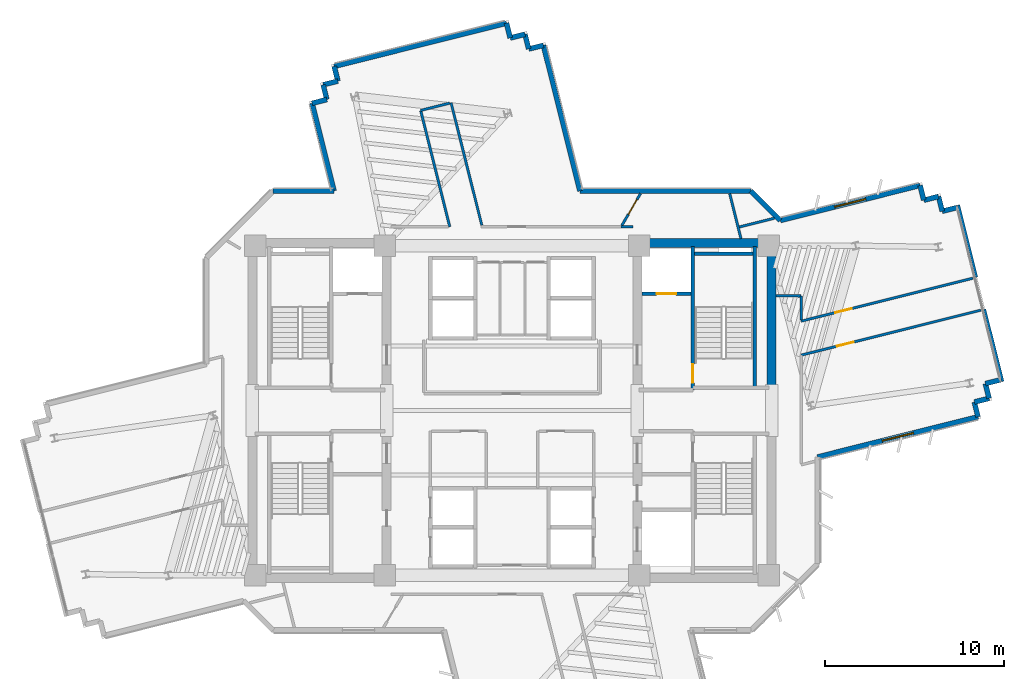
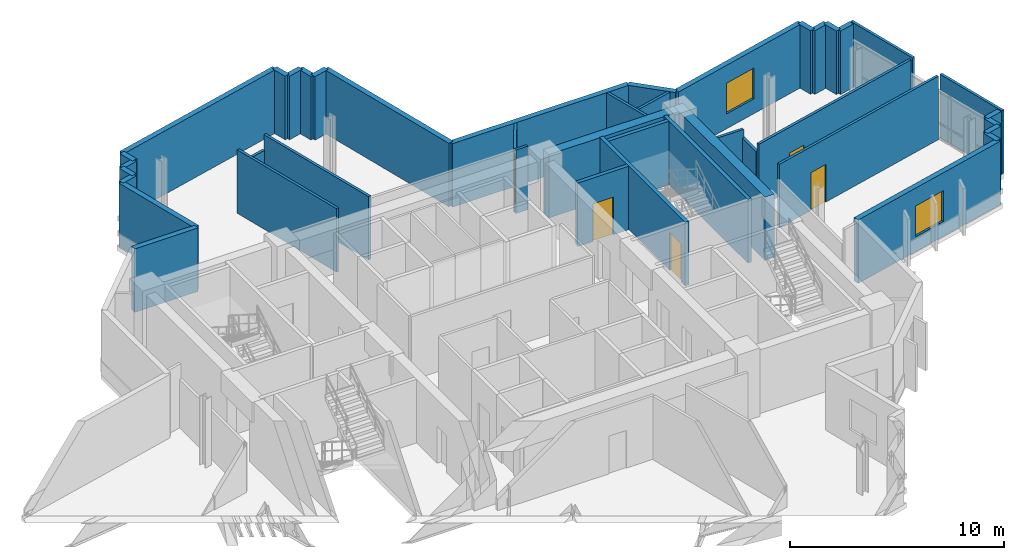
# One storey, part 9 of 13: 43 walls, 5 doors, 2 windows, 7 openings.
"""IFC4 building model written with IfcOpenShell, lengths in metres."""

import ifcopenshell
import ifcopenshell.guid

model = None  # the IFC model being written
_history = None  # IfcOwnerHistory: only IFC2X3 demands one
_inside = {}  # id of a spatial element -> (the spatial element, [elements in it])
_under = {}  # id of a project, library or spatial element -> (it, [spatial elements below it])
_declared = {}  # id of a project -> (the project, [libraries it declares])
_typed = {}  # id of a type object -> (the type object, [elements of that type])
_made_of = {}  # id of a material, layer set ... -> (it, [elements and type objects made of it])


def new_model(schema):
    """Start an empty IFC model of exactly this schema.

    Asked for "IFC4X3", IfcOpenShell would pick the latest addendum, in which some entities
    have other attributes; the version numbers below select the first issue.
    IFC2X3 requires an IfcOwnerHistory on every rooted entity: one is made here for all.
    """
    global model, _history
    if schema == "IFC4X3":
        model = ifcopenshell.file(schema_version=(4, 3, 0, 0))
    else:
        model = ifcopenshell.file(schema=schema)
    _inside.clear()
    _under.clear()
    _declared.clear()
    _typed.clear()
    _made_of.clear()
    _history = None
    if model.schema == "IFC2X3":
        org = make("IfcOrganization", Name="unknown")
        user = make(
            "IfcPersonAndOrganization",
            ThePerson=make("IfcPerson", FamilyName="unknown"),
            TheOrganization=org,
        )
        app = make(
            "IfcApplication",
            ApplicationDeveloper=org,
            Version="unknown",
            ApplicationFullName="unknown",
            ApplicationIdentifier="unknown",
        )
        _history = make(
            "IfcOwnerHistory",
            OwningUser=user,
            OwningApplication=app,
            ChangeAction="ADDED",
            CreationDate=0,
        )
    return model


def make(cls, **values):
    """One entity of the class cls with the attributes given. An attribute that is None is left unset."""
    return model.create_entity(
        cls, **{name: value for name, value in values.items() if value is not None}
    )


def rooted(cls, **values):
    """An entity with a GlobalId (a new one), such as an element, a storey or a relation."""
    return make(cls, GlobalId=ifcopenshell.guid.new(), OwnerHistory=_history, **values)


def si_unit(unit_type, name, prefix=None):
    """IfcSIUnit, for example si_unit("LENGTHUNIT", "METRE", prefix="MILLI")."""
    return make("IfcSIUnit", UnitType=unit_type, Prefix=prefix, Name=name)


def assignment(units):
    """IfcUnitAssignment: the units of a project."""
    return None if units is None else make("IfcUnitAssignment", Units=units)


def point(xyz):
    """IfcCartesianPoint."""
    return None if xyz is None else make("IfcCartesianPoint", Coordinates=xyz)


def direction(xyz):
    """IfcDirection."""
    return None if xyz is None else make("IfcDirection", DirectionRatios=xyz)


def frame(location, z_axis=None, x_axis=None):
    """IfcAxis2Placement3D, a coordinate frame: its origin and axes. An axis left out is left unset."""
    return make(
        "IfcAxis2Placement3D",
        Location=point(location),
        Axis=direction(z_axis),
        RefDirection=direction(x_axis),
    )


def frame_2d(location, x_axis=None):
    """IfcAxis2Placement2D, a coordinate frame in the plane: its origin and x axis."""
    return make(
        "IfcAxis2Placement2D", Location=point(location), RefDirection=direction(x_axis)
    )


def origin():
    """The frame at (0, 0, 0) with its axes left unset."""
    return frame((0.0, 0.0, 0.0))


def place(relative_to, where):
    """IfcLocalPlacement: puts the frame where relative to a parent placement (None: the world)."""
    return make(
        "IfcLocalPlacement", PlacementRelTo=relative_to, RelativePlacement=where
    )


def context(
    kind, dimensions, precision=None, world=None, true_north=None, identifier=None
):
    """IfcGeometricRepresentationContext, for example the 3D "Model" context."""
    return make(
        "IfcGeometricRepresentationContext",
        ContextIdentifier=identifier,
        ContextType=kind,
        CoordinateSpaceDimension=dimensions,
        Precision=precision,
        WorldCoordinateSystem=world,
        TrueNorth=true_north,
    )


def subcontext(parent, identifier, kind, view, scale=None):
    """IfcGeometricRepresentationSubContext, for example "Body" below "Model"."""
    return make(
        "IfcGeometricRepresentationSubContext",
        ContextIdentifier=identifier,
        ContextType=kind,
        ParentContext=parent,
        TargetScale=scale,
        TargetView=view,
    )


def project(units=None, contexts=None):
    """IfcProject with its units and contexts."""
    return rooted(
        "IfcProject",
        Name="project",
        RepresentationContexts=contexts,
        UnitsInContext=assignment(units),
    )


def spatial(cls, under=None, at=None, **own):
    """A site, building, storey or space (cls), placed at a placement, below another one or the project."""
    s = rooted(cls, ObjectPlacement=at, **own)
    if under is not None:
        _under.setdefault(under.id(), (under, []))[1].append(s)
    return s


def profile(cls, at=None, kind="AREA", **sizes):
    """A parametric profile (cls). Its sizes go by their IFC names, for example OverallWidth=200.0."""
    return make(cls, ProfileType=kind, Position=at, **sizes)


def rectangle(**sizes):
    """IfcRectangleProfileDef."""
    return profile("IfcRectangleProfileDef", **sizes)


def extrude(swept, where, along, depth):
    """IfcExtrudedAreaSolid: the profile swept, set in the frame where, extruded along a direction by depth."""
    return make(
        "IfcExtrudedAreaSolid",
        SweptArea=swept,
        Position=where,
        ExtrudedDirection=direction(along),
        Depth=depth,
    )


def shape(context_of_items, identifier, shape_type, items):
    """IfcShapeRepresentation: the items that make up one representation, for example the "Body"."""
    return make(
        "IfcShapeRepresentation",
        ContextOfItems=context_of_items,
        RepresentationIdentifier=identifier,
        RepresentationType=shape_type,
        Items=items,
    )


def source(mapping_origin, context_of_items, identifier, shape_type, items):
    """IfcRepresentationMap: a shape defined once, which mapped items show again and again."""
    return make(
        "IfcRepresentationMap",
        MappingOrigin=mapping_origin,
        MappedRepresentation=shape(context_of_items, identifier, shape_type, items),
    )


def transform(
    local_origin,
    x_axis=None,
    y_axis=None,
    z_axis=None,
    scale=None,
    scale2=None,
    scale3=None,
    uniform=True,
):
    """IfcCartesianTransformationOperator3D, or its non-uniform kind. x_axis, y_axis, z_axis: its Axis1, 2, 3."""
    if uniform:
        return make(
            "IfcCartesianTransformationOperator3D",
            Axis1=direction(x_axis),
            Axis2=direction(y_axis),
            LocalOrigin=point(local_origin),
            Scale=scale,
            Axis3=direction(z_axis),
        )
    return make(
        "IfcCartesianTransformationOperator3DnonUniform",
        Axis1=direction(x_axis),
        Axis2=direction(y_axis),
        LocalOrigin=point(local_origin),
        Scale=scale,
        Axis3=direction(z_axis),
        Scale2=scale2,
        Scale3=scale3,
    )


def mapped(mapping_source, mapping_target):
    """IfcMappedItem: shows the shape of a source again, moved by a transform."""
    return make(
        "IfcMappedItem", MappingSource=mapping_source, MappingTarget=mapping_target
    )


def material(Name=None, Category=None):
    """IfcMaterial."""
    return make("IfcMaterial", Name=Name, Category=Category)


def layer(
    of_material, thickness, ventilated=None, Name=None, Category=None, Priority=None
):
    """IfcMaterialLayer: one layer of a wall or slab, of a material (None: an air gap)."""
    return make(
        "IfcMaterialLayer",
        Material=of_material,
        LayerThickness=thickness,
        IsVentilated=ventilated,
        Name=Name,
        Category=Category,
        Priority=Priority,
    )


def layer_set(layers, Name=None):
    """IfcMaterialLayerSet."""
    return make("IfcMaterialLayerSet", MaterialLayers=layers, LayerSetName=Name)


def made_of(thing, what):
    """Note that an element or type object is made of a material, layer set ...; save() writes the relation."""
    if what is not None:
        _made_of.setdefault(what.id(), (what, []))[1].append(thing)
    return thing


def type_object(cls, material=None, **own):
    """A type object (cls), such as IfcWallType, which elements share."""
    return made_of(rooted(cls, **own), material)


def element(
    cls,
    number,
    at=None,
    inside=None,
    cuts=None,
    type_object=None,
    material=None,
    context=None,
    identifier="Body",
    shape_type=None,
    held_by="IfcProductDefinitionShape",
    body=None,
    shapes=None,
    **own,
):
    """One element of the class cls, such as IfcWall. Its Tag is "e" and its number.

    at: its placement. inside: the storey or other place that contains it. cuts: it is an
    opening in that element (IfcRelVoidsElement). A single representation is given by context,
    identifier, shape_type and body (its items); several are given by shapes. held_by: the class
    of the entity that holds the representations. save() writes the other relations.
    """
    e = rooted(cls, Tag="e%d" % number, ObjectPlacement=at, **own)
    if body is not None:
        shapes = [shape(context, identifier, shape_type, body)]
    if shapes is not None:
        e.Representation = make(held_by, Representations=shapes)
    if inside is not None:
        _inside.setdefault(inside.id(), (inside, []))[1].append(e)
    if cuts is not None:
        rooted(
            "IfcRelVoidsElement", RelatingBuildingElement=cuts, RelatedOpeningElement=e
        )
    if type_object is not None:
        _typed.setdefault(type_object.id(), (type_object, []))[1].append(e)
    return made_of(e, material)


def fill(opening, filler):
    """IfcRelFillsElement: the door or window that sits in an opening."""
    return rooted(
        "IfcRelFillsElement",
        RelatingOpeningElement=opening,
        RelatedBuildingElement=filler,
    )


def aggregate(whole, parts):
    """IfcRelAggregates: a whole, such as a stair, and the parts it consists of."""
    return rooted("IfcRelAggregates", RelatingObject=whole, RelatedObjects=parts)


def save(model, path):
    """Write the relations noted so far, then the file.

    IfcRelAggregates (storeys below a building ...), IfcRelContainedInSpatialStructure (elements
    in a storey), IfcRelDefinesByType, IfcRelAssociatesMaterial and IfcRelDeclares: one each for
    every whole, place, type object, material and project.
    """
    for whole, parts in _under.values():
        aggregate(whole, parts)
    for where, things in _inside.values():
        rooted(
            "IfcRelContainedInSpatialStructure",
            RelatedElements=things,
            RelatingStructure=where,
        )
    for kind, things in _typed.values():
        rooted("IfcRelDefinesByType", RelatedObjects=things, RelatingType=kind)
    for what, things in _made_of.values():
        rooted("IfcRelAssociatesMaterial", RelatedObjects=things, RelatingMaterial=what)
    for by, libraries in _declared.values():
        rooted("IfcRelDeclares", RelatingContext=by, RelatedDefinitions=libraries)
    model.write(path)


model = new_model("IFC4")

# Units and contexts
model_context = context("Model", 3, precision=1e-05, world=origin(), true_north=direction((0.0, 1.0)))
body_context = subcontext(model_context, "Body", "Model", "MODEL_VIEW")
ifc_project = project(units=[si_unit("LENGTHUNIT", "METRE"), si_unit("AREAUNIT", "SQUARE_METRE"), si_unit("VOLUMEUNIT", "CUBIC_METRE"), si_unit("PLANEANGLEUNIT", "RADIAN"), si_unit("MASSUNIT", "GRAM", prefix="KILO")], contexts=[model_context])

# Site, building, storey
site_placement = place(None, origin())
site = spatial("IfcSite", under=ifc_project, at=site_placement, CompositionType="ELEMENT")
building_placement = place(site_placement, origin())
building = spatial("IfcBuilding", under=site, at=building_placement, Name="Zahravan Cultural Tower", CompositionType="ELEMENT")
storey_placement = place(building_placement, frame((0.0, 0.0, 190.199951171875)))
storey = spatial("IfcBuildingStorey", under=building, at=storey_placement, Name="L44", CompositionType="ELEMENT", Elevation=190.199951171875)

# Wall, opening, window
ifc_material_1 = material(Name="Precast concrete C40/50", Category="concrete")
ifc_layer_1 = layer(ifc_material_1, 0.280029296875)
ifc_layer_set_1 = layer_set([ifc_layer_1], Name="Precast concrete C40/50")
wall_type_1 = type_object("IfcWallType", Name="EW-TC-280", PredefinedType="SOLIDWALL", material=ifc_layer_set_1)
wall_1_placement = place(storey_placement, frame((50.98388671875, 37.6181640625, 0.0), z_axis=(0.0, 0.0, 1.0), x_axis=(0.970040669564, 0.242942584557, 0.0)))
wall_1 = element("IfcWall", 1, at=wall_1_placement, inside=storey, type_object=wall_type_1, Name="L44 Exterior Masonry Frame Wall 01", PredefinedType="SOLIDWALL", context=body_context, shape_type="SweptSolid", body=[
    extrude(rectangle(XDim=8.04541015625, YDim=0.280029296875, at=frame_2d((4.022705078125, 0.0))), origin(), (0.0, 0.0, 1.0), 3.6201171875),
])
opening_1_placement = place(wall_1_placement, frame((3.123046875, 0.0, 0.85009765625)))
opening_1 = element("IfcOpeningElement", 2, at=opening_1_placement, cuts=wall_1, Name="Opening WN-02", PredefinedType="OPENING", context=body_context, shape_type="SweptSolid", body=[
    extrude(rectangle(XDim=1.800048828125, YDim=1.75, at=frame_2d((0.89990234375, 0.875))), frame((0.0, 0.14990234375, 0.0), z_axis=(0.0, -1.0, 0.0), x_axis=(1.0, 0.0, 0.0)), (0.0, 0.0, 1.0), 0.300048828125),
])
ifc_material_2 = material(Name="Low-E solar-control double glazing", Category="glass")
window_type = type_object("IfcWindowType", Name="WN-REC-1800X1750", PartitioningType="DOUBLE_PANEL_VERTICAL", PredefinedType="WINDOW", material=ifc_material_2)
shared_shape_1 = source(origin(), body_context, "Body", "SweptSolid", [
    extrude(rectangle(XDim=1.800048828125, YDim=1.75, at=frame_2d((0.89990234375, 0.875))), frame((0.0, 0.030029296875, 0.0), z_axis=(0.0, -1.0, 0.0), x_axis=(1.0, 0.0, 0.0)), (0.0, 0.0, 1.0), 0.06005859375),
])
window_1_placement = place(opening_1_placement, origin())
window_1 = element("IfcWindow", 3, at=window_1_placement, inside=storey, type_object=window_type, Name="L44 Recessed Solar Window 01", OverallHeight=1.75, OverallWidth=1.800048828125, PartitioningType="DOUBLE_PANEL_VERTICAL", PredefinedType="WINDOW", context=body_context, shape_type="MappedRepresentation", body=[
    mapped(shared_shape_1, transform((0.0, 0.0, 0.0), x_axis=(1.0, 0.0, 0.0), y_axis=(0.0, 1.0, 0.0), z_axis=(0.0, 0.0, 1.0), scale=1.0)),
])
fill(opening_1, window_1)

wall_2_placement = place(storey_placement, frame((62.024169921875, 26.65185546875, 0.0), z_axis=(0.0, 0.0, 1.0), x_axis=(-0.970044513566, -0.242927235402, 0.0)))
wall_2 = element("IfcWall", 4, at=wall_2_placement, inside=storey, type_object=wall_type_1, Name="L44 Exterior Masonry Frame Wall 10", PredefinedType="SOLIDWALL", context=body_context, shape_type="SweptSolid", body=[
    extrude(rectangle(XDim=9.240966796875, YDim=0.280029296875, at=frame_2d((4.62060546875, 0.0))), origin(), (0.0, 0.0, 1.0), 3.6201171875),
])
opening_2_placement = place(wall_2_placement, frame((3.720947265625, 0.0, 0.85009765625)))
opening_2 = element("IfcOpeningElement", 5, at=opening_2_placement, cuts=wall_2, Name="Opening WN-02", PredefinedType="OPENING", context=body_context, shape_type="SweptSolid", body=[
    extrude(rectangle(XDim=1.800048828125, YDim=1.75, at=frame_2d((0.89990234375, 0.875))), frame((0.0, 0.14990234375, 0.0), z_axis=(0.0, -1.0, 0.0), x_axis=(1.0, 0.0, 0.0)), (0.0, 0.0, 1.0), 0.300048828125),
])
window_2_placement = place(opening_2_placement, origin())
window_2 = element("IfcWindow", 6, at=window_2_placement, inside=storey, type_object=window_type, Name="L44 Recessed Solar Window 02", OverallHeight=1.75, OverallWidth=1.800048828125, PartitioningType="DOUBLE_PANEL_VERTICAL", PredefinedType="WINDOW", context=body_context, shape_type="MappedRepresentation", body=[
    mapped(shared_shape_1, transform((0.0, 0.0, 0.0), x_axis=(1.0, 0.0, 0.0), y_axis=(0.0, 1.0, 0.0), z_axis=(0.0, 0.0, 1.0), scale=1.0)),
])
fill(opening_2, window_2)

# Wall, opening, door
ifc_material_3 = material(Name="Gypsum plasterboard partition")
ifc_layer_2 = layer(ifc_material_3, 0.139892578125)
ifc_layer_set_2 = layer_set([ifc_layer_2], Name="Gypsum plasterboard partition")
wall_type_2 = type_object("IfcWallType", Name="W-PART-140", PredefinedType="PARTITIONING", material=ifc_layer_set_2)
wall_3_placement = place(storey_placement, frame((42.1318359375, 37.3349609375, 0.0), z_axis=(0.0, 0.0, 1.0), x_axis=(0.505011455642, 0.863112640198, 0.0)))
wall_3 = element("IfcWall", 7, at=wall_3_placement, inside=storey, type_object=wall_type_2, Name="L44 Interior Wall 069", PredefinedType="PARTITIONING", context=body_context, shape_type="SweptSolid", body=[
    extrude(rectangle(XDim=2.062255859375, YDim=0.139892578125, at=frame_2d((1.03125, 0.0))), origin(), (0.0, 0.0, 1.0), 3.6201171875),
])
opening_3_placement = place(wall_3_placement, frame((0.722900390625, 0.0, 0.0)))
opening_3 = element("IfcOpeningElement", 8, at=opening_3_placement, cuts=wall_3, Name="Opening D-L44-24", PredefinedType="OPENING", context=body_context, shape_type="SweptSolid", body=[
    extrude(rectangle(XDim=0.949951171875, YDim=2.14990234375, at=frame_2d((0.47509765625, 1.074951171875))), frame((0.0, 0.079833984375, 0.0), z_axis=(0.0, -1.0, 0.0), x_axis=(1.0, 0.0, 0.0)), (0.0, 0.0, 1.0), 0.159912109375),
])
ifc_material_4 = material(Name="Anodised bronze-aluminium mullion", Category="aluminium")
door_type_1 = type_object("IfcDoorType", Name="DR-ROOM-950", OperationType="NOTDEFINED", PredefinedType="DOOR", material=ifc_material_4)
shared_shape_2 = source(origin(), body_context, "Body", "SweptSolid", [
    extrude(rectangle(XDim=0.949951171875, YDim=2.14990234375, at=frame_2d((0.47509765625, 1.074951171875))), frame((0.0, 0.02490234375, 0.0), z_axis=(0.0, -1.0, 0.0), x_axis=(1.0, 0.0, 0.0)), (0.0, 0.0, 1.0), 0.050048828125),
])
door_1_placement = place(opening_3_placement, origin())
door_1 = element("IfcDoor", 9, at=door_1_placement, inside=storey, type_object=door_type_1, Name="L44 Door D-L44-24", OperationType="SINGLE_SWING_LEFT", OverallHeight=2.14990234375, OverallWidth=0.949951171875, PredefinedType="DOOR", context=body_context, shape_type="MappedRepresentation", body=[
    mapped(shared_shape_2, transform((0.0, 0.0, 0.0), x_axis=(1.0, 0.0, 0.0), y_axis=(0.0, 1.0, 0.0), z_axis=(0.0, 0.0, 1.0), scale=1.0)),
])
fill(opening_3, door_1)

wall_4_placement = place(storey_placement, frame((61.72998046875, 34.39208984375, 0.0), z_axis=(0.0, 0.0, 1.0), x_axis=(-0.970043536382, -0.242931137411, 0.0)))
wall_4 = element("IfcWall", 10, at=wall_4_placement, inside=storey, type_object=wall_type_2, Name="L44 Interior Wall 081", PredefinedType="PARTITIONING", context=body_context, shape_type="SweptSolid", body=[
    extrude(rectangle(XDim=9.8759765625, YDim=0.139892578125, at=frame_2d((4.93798828125, 0.0))), origin(), (0.0, 0.0, 1.0), 3.6201171875),
])
opening_4_placement = place(wall_4_placement, frame((6.962158203125, 0.0, 0.0)))
opening_4 = element("IfcOpeningElement", 11, at=opening_4_placement, cuts=wall_4, Name="Opening D-L44-19", PredefinedType="OPENING", context=body_context, shape_type="SweptSolid", body=[
    extrude(rectangle(XDim=0.949951171875, YDim=2.14990234375, at=frame_2d((0.47509765625, 1.074951171875))), frame((0.0, 0.079833984375, 0.0), z_axis=(0.0, -1.0, 0.0), x_axis=(1.0, 0.0, 0.0)), (0.0, 0.0, 1.0), 0.159912109375),
])
door_2_placement = place(opening_4_placement, origin())
door_2 = element("IfcDoor", 12, at=door_2_placement, inside=storey, type_object=door_type_1, Name="L44 Door D-L44-19", OperationType="SINGLE_SWING_RIGHT", OverallHeight=2.14990234375, OverallWidth=0.949951171875, PredefinedType="DOOR", context=body_context, shape_type="MappedRepresentation", body=[
    mapped(shared_shape_2, transform((0.0, 0.0, 0.0), x_axis=(1.0, 0.0, 0.0), y_axis=(0.0, 1.0, 0.0), z_axis=(0.0, 0.0, 1.0), scale=1.0)),
])
fill(opening_4, door_2)

wall_5_placement = place(storey_placement, frame((52.14990234375, 30.09619140625, 0.0), z_axis=(0.0, 0.0, 1.0), x_axis=(0.970040994122, 0.242941288635, 0.0)))
wall_5 = element("IfcWall", 13, at=wall_5_placement, inside=storey, type_object=wall_type_2, Name="L44 Interior Wall 092", PredefinedType="PARTITIONING", context=body_context, shape_type="SweptSolid", body=[
    extrude(rectangle(XDim=10.336669921875, YDim=0.139892578125, at=frame_2d((5.16845703125, 0.0))), origin(), (0.0, 0.0, 1.0), 3.6201171875),
])
opening_5_placement = place(wall_5_placement, frame((2.065185546875, 0.0, 0.0)))
opening_5 = element("IfcOpeningElement", 14, at=opening_5_placement, cuts=wall_5, Name="Opening D-L44-18", PredefinedType="OPENING", context=body_context, shape_type="SweptSolid", body=[
    extrude(rectangle(XDim=0.949951171875, YDim=2.14990234375, at=frame_2d((0.47509765625, 1.074951171875))), frame((0.0, 0.079833984375, 0.0), z_axis=(0.0, -1.0, 0.0), x_axis=(1.0, 0.0, 0.0)), (0.0, 0.0, 1.0), 0.159912109375),
])
door_3_placement = place(opening_5_placement, origin())
door_3 = element("IfcDoor", 15, at=door_3_placement, inside=storey, type_object=door_type_1, Name="L44 Door D-L44-18", OperationType="SINGLE_SWING_LEFT", OverallHeight=2.14990234375, OverallWidth=0.949951171875, PredefinedType="DOOR", context=body_context, shape_type="MappedRepresentation", body=[
    mapped(shared_shape_2, transform((0.0, 0.0, 0.0), x_axis=(1.0, 0.0, 0.0), y_axis=(0.0, 1.0, 0.0), z_axis=(0.0, 0.0, 1.0), scale=1.0)),
])
fill(opening_5, door_3)

ifc_material_5 = material(Name="Concrete C45/55", Category="concrete")
ifc_layer_3 = layer(ifc_material_5, 0.199951171875)
ifc_layer_set_3 = layer_set([ifc_layer_3], Name="Concrete C45/55")
wall_type_3 = type_object("IfcWallType", Name="W-SHAFT-200", PredefinedType="SOLIDWALL", material=ifc_layer_set_3)
wall_6_placement = place(storey_placement, frame((46.10009765625, 28.14990234375, 0.0), z_axis=(0.0, 0.0, 1.0), x_axis=(0.0, 1.0, 0.0)))
wall_6 = element("IfcWall", 16, at=wall_6_placement, inside=storey, type_object=wall_type_3, Name="L44 Interior Wall 008", PredefinedType="SOLIDWALL", context=body_context, shape_type="SweptSolid", body=[
    extrude(rectangle(XDim=8.0, YDim=0.199951171875, at=frame_2d((4.0, 0.0))), origin(), (0.0, 0.0, 1.0), 3.6201171875),
])
opening_6_placement = place(wall_6_placement, frame((0.39990234375, 0.0, 0.0)))
opening_6 = element("IfcOpeningElement", 17, at=opening_6_placement, cuts=wall_6, Name="Opening D-L44-02", PredefinedType="OPENING", context=body_context, shape_type="SweptSolid", body=[
    extrude(rectangle(XDim=1.050048828125, YDim=2.14990234375, at=frame_2d((0.52490234375, 1.074951171875))), frame((0.0, 0.10986328125, 0.0), z_axis=(0.0, -1.0, 0.0), x_axis=(1.0, 0.0, 0.0)), (0.0, 0.0, 1.0), 0.219970703125),
])
ifc_material_6 = material(Name="Steel ASTM A572 Grade 50", Category="steel")
door_type_2 = type_object("IfcDoorType", Name="DR-STAIR-1050", OperationType="NOTDEFINED", PredefinedType="DOOR", material=ifc_material_6)
shared_shape_3 = source(origin(), body_context, "Body", "SweptSolid", [
    extrude(rectangle(XDim=1.050048828125, YDim=2.14990234375, at=frame_2d((0.52490234375, 1.074951171875))), frame((0.0, 0.02490234375, 0.0), z_axis=(0.0, -1.0, 0.0), x_axis=(1.0, 0.0, 0.0)), (0.0, 0.0, 1.0), 0.050048828125),
])
door_4_placement = place(opening_6_placement, origin())
door_4 = element("IfcDoor", 18, at=door_4_placement, inside=storey, type_object=door_type_2, Name="L44 Door D-L44-02", OperationType="SINGLE_SWING_LEFT", OverallHeight=2.14990234375, OverallWidth=1.050048828125, PredefinedType="DOOR", context=body_context, shape_type="MappedRepresentation", body=[
    mapped(shared_shape_3, transform((0.0, 0.0, 0.0), x_axis=(1.0, 0.0, 0.0), y_axis=(0.0, 1.0, 0.0), z_axis=(0.0, 0.0, 1.0), scale=1.0)),
])
fill(opening_6, door_4)

wall_7_placement = place(storey_placement, frame((43.25, 33.52001953125, 0.0), z_axis=(0.0, 0.0, 1.0), x_axis=(1.0, 0.0, 0.0)))
wall_7 = element("IfcWall", 19, at=wall_7_placement, inside=storey, type_object=wall_type_3, Name="L44 Interior Wall 022", PredefinedType="SOLIDWALL", context=body_context, shape_type="SweptSolid", body=[
    extrude(rectangle(XDim=2.75, YDim=0.199951171875, at=frame_2d((1.375, 0.0))), origin(), (0.0, 0.0, 1.0), 3.6201171875),
])
opening_7_placement = place(wall_7_placement, frame((0.820068359375, 0.0, 0.0)))
opening_7 = element("IfcOpeningElement", 20, at=opening_7_placement, cuts=wall_7, Name="Opening LD-L44-02", PredefinedType="OPENING", context=body_context, shape_type="SweptSolid", body=[
    extrude(rectangle(XDim=1.10009765625, YDim=2.14990234375, at=frame_2d((0.550048828125, 1.074951171875))), frame((0.0, 0.10986328125, 0.0), z_axis=(0.0, -1.0, 0.0), x_axis=(1.0, 0.0, 0.0)), (0.0, 0.0, 1.0), 0.219970703125),
])
door_type_3 = type_object("IfcDoorType", Name="DR-LIFT-1100", OperationType="DOUBLE_DOOR_SLIDING", PredefinedType="DOOR", material=ifc_material_6)
shared_shape_4 = source(origin(), body_context, "Body", "SweptSolid", [
    extrude(rectangle(XDim=1.10009765625, YDim=2.14990234375, at=frame_2d((0.550048828125, 1.074951171875))), frame((0.0, 0.02490234375, 0.0), z_axis=(0.0, -1.0, 0.0), x_axis=(1.0, 0.0, 0.0)), (0.0, 0.0, 1.0), 0.050048828125),
])
door_5_placement = place(opening_7_placement, origin())
door_5 = element("IfcDoor", 21, at=door_5_placement, inside=storey, type_object=door_type_3, Name="L44 Door LD-L44-02", OperationType="DOUBLE_DOOR_SLIDING", OverallHeight=2.14990234375, OverallWidth=1.10009765625, PredefinedType="DOOR", context=body_context, shape_type="MappedRepresentation", body=[
    mapped(shared_shape_4, transform((0.0, 0.0, 0.0), x_axis=(1.0, 0.0, 0.0), y_axis=(0.0, 1.0, 0.0), z_axis=(0.0, 0.0, 1.0), scale=1.0)),
])
fill(opening_7, door_5)

# Walls
ifc_material_7 = material(Name="Concrete C60/75", Category="concrete")
ifc_layer_4 = layer(ifc_material_7, 0.5)
ifc_layer_set_4 = layer_set([ifc_layer_4], Name="Concrete C60/75")
wall_type_4 = type_object("IfcWallType", Name="CW-SHEAR-500-C60", PredefinedType="SHEAR", material=ifc_layer_set_4)
shared_shape_5 = source(origin(), body_context, "Body", "SweptSolid", [
    extrude(rectangle(XDim=8.550048828125, YDim=0.5, at=frame_2d((4.27490234375, 0.0))), origin(), (0.0, 0.0, 1.0), 3.6201171875),
])
wall_8_placement = place(storey_placement, frame((50.5, 28.050048828125, 0.0), z_axis=(0.0, 0.0, 1.0), x_axis=(0.0, 1.0, 0.0)))
element("IfcWall", 22, at=wall_8_placement, inside=storey, type_object=wall_type_4, Name="L44 Core Shear Wall CW-E-EN-L44", PredefinedType="SHEAR", context=body_context, shape_type="MappedRepresentation", body=[
    mapped(shared_shape_5, transform((0.0, 0.0, 0.0), x_axis=(1.0, 0.0, 0.0), y_axis=(0.0, 1.0, 0.0), z_axis=(0.0, 0.0, 1.0), scale=1.0)),
])
shared_shape_6 = source(origin(), body_context, "Body", "SweptSolid", [
    extrude(rectangle(XDim=7.0, YDim=0.5, at=frame_2d((3.5, 0.0))), origin(), (0.0, 0.0, 1.0), 3.6201171875),
])
wall_9_placement = place(storey_placement, frame((43.25, 36.35009765625, 0.0), z_axis=(0.0, 0.0, 1.0), x_axis=(1.0, 0.0, 0.0)))
element("IfcWall", 23, at=wall_9_placement, inside=storey, type_object=wall_type_4, Name="L44 Core Shear Wall CW-E-N-L44", PredefinedType="SHEAR", context=body_context, shape_type="MappedRepresentation", body=[
    mapped(shared_shape_6, transform((0.0, 0.0, 0.0), x_axis=(1.0, 0.0, 0.0), y_axis=(0.0, 1.0, 0.0), z_axis=(0.0, 0.0, 1.0), scale=1.0)),
])
shared_shape_7 = source(origin(), body_context, "Body", "SweptSolid", [
    extrude(rectangle(XDim=0.85009765625, YDim=0.280029296875, at=frame_2d((0.425048828125, 0.0))), origin(), (0.0, 0.0, 1.0), 3.6201171875),
])
for number, where, z_axis, x_axis, name in (
    (24, (59.8193359375, 38.954833984375, 0.0), (0.0, 0.0, 1.0), (0.242941012307, -0.970041063326, 0.0), "L44 Exterior Masonry Frame Wall 04"),
    (25, (62.642333984375, 27.682861328125, 0.0), (0.0, 0.0, 1.0), (-0.970041063326, -0.242941012307, 0.0), "L44 Exterior Masonry Frame Wall 08"),
    (26, (24.836181640625, 44.162109375, 0.0), (0.0, 0.0, 1.0), (0.970108704339, 0.242670768255, 0.0), "L44 Exterior Masonry Frame Wall 41"),
    (27, (25.660888671875, 44.368408203125, 0.0), (0.0, 0.0, 1.0), (-0.242941012307, 0.970041063326, 0.0), "L44 Exterior Masonry Frame Wall 42"),
    (28, (35.901611328125, 47.8095703125, 0.0), (0.0, 0.0, 1.0), (0.970041063326, 0.242941012307, 0.0), "L44 Exterior Masonry Frame Wall 47"),
    (29, (36.726318359375, 48.01611328125, 0.0), (0.0, 0.0, 1.0), (0.242670768255, -0.970108704339, 0.0), "L44 Exterior Masonry Frame Wall 48"),
):
    element("IfcWall", number, at=place(storey_placement, frame(where, z_axis=z_axis, x_axis=x_axis)), inside=storey, type_object=wall_type_1, Name=name, PredefinedType="SOLIDWALL", context=body_context, shape_type="MappedRepresentation", body=[
        mapped(shared_shape_7, transform((0.0, 0.0, 0.0), x_axis=(1.0, 0.0, 0.0), y_axis=(0.0, 1.0, 0.0), z_axis=(0.0, 0.0, 1.0), scale=1.0)),
    ])
shared_shape_8 = source(origin(), body_context, "Body", "SweptSolid", [
    extrude(rectangle(XDim=0.849853515625, YDim=0.280029296875, at=frame_2d((0.4248046875, 0.0))), origin(), (0.0, 0.0, 1.0), 3.6201171875),
])
for number, where, z_axis, x_axis, name in (
    (30, (58.788330078125, 39.57275390625, 0.0), (0.0, 0.0, 1.0), (0.243008704507, -0.970024107708, 0.0), "L44 Exterior Masonry Frame Wall 02"),
    (31, (58.994873046875, 38.748291015625, 0.0), (0.0, 0.0, 1.0), (0.970024107708, 0.243008704507, 0.0), "L44 Exterior Masonry Frame Wall 03"),
    (32, (60.02587890625, 38.130126953125, 0.0), (0.0, 0.0, 1.0), (0.970024107708, 0.243008704507, 0.0), "L44 Exterior Masonry Frame Wall 05"),
    (33, (63.26025390625, 28.7138671875, 0.0), (0.0, 0.0, 1.0), (-0.970024107708, -0.243008704507, 0.0), "L44 Exterior Masonry Frame Wall 06"),
    (34, (62.435791015625, 28.50732421875, 0.0), (0.0, 0.0, 1.0), (0.243008704507, -0.970024107708, 0.0), "L44 Exterior Masonry Frame Wall 07"),
    (35, (61.817626953125, 27.476318359375, 0.0), (0.0, 0.0, 1.0), (0.243008704507, -0.970024107708, 0.0), "L44 Exterior Masonry Frame Wall 09"),
    (36, (25.454345703125, 45.193115234375, 0.0), (0.0, 0.0, 1.0), (0.970024107708, 0.243008704507, 0.0), "L44 Exterior Masonry Frame Wall 43"),
    (37, (26.27880859375, 45.399658203125, 0.0), (0.0, 0.0, 1.0), (-0.243008704507, 0.970024107708, 0.0), "L44 Exterior Masonry Frame Wall 44"),
    (38, (35.695068359375, 48.634033203125, 0.0), (0.0, 0.0, 1.0), (0.243008704507, -0.970024107708, 0.0), "L44 Exterior Masonry Frame Wall 46"),
    (39, (36.9326171875, 47.19140625, 0.0), (0.0, 0.0, 1.0), (0.970024107708, 0.243008704507, 0.0), "L44 Exterior Masonry Frame Wall 49"),
):
    element("IfcWall", number, at=place(storey_placement, frame(where, z_axis=z_axis, x_axis=x_axis)), inside=storey, type_object=wall_type_1, Name=name, PredefinedType="SOLIDWALL", context=body_context, shape_type="MappedRepresentation", body=[
        mapped(shared_shape_8, transform((0.0, 0.0, 0.0), x_axis=(1.0, 0.0, 0.0), y_axis=(0.0, 1.0, 0.0), z_axis=(0.0, 0.0, 1.0), scale=1.0)),
    ])
shared_shape_9 = source(origin(), body_context, "Body", "SweptSolid", [
    extrude(rectangle(XDim=9.919921875, YDim=0.280029296875, at=frame_2d((4.9599609375, 0.0))), origin(), (0.0, 0.0, 1.0), 3.6201171875),
])
wall_10_placement = place(storey_placement, frame((26.072265625, 46.22412109375, 0.0), z_axis=(0.0, 0.0, 1.0), x_axis=(0.97004252616, 0.242935171273, 0.0)))
element("IfcWall", 40, at=wall_10_placement, inside=storey, type_object=wall_type_1, Name="L44 Exterior Masonry Frame Wall 45", PredefinedType="SOLIDWALL", context=body_context, shape_type="MappedRepresentation", body=[
    mapped(shared_shape_9, transform((0.0, 0.0, 0.0), x_axis=(1.0, 0.0, 0.0), y_axis=(0.0, 1.0, 0.0), z_axis=(0.0, 0.0, 1.0), scale=1.0)),
])
shared_shape_10 = source(origin(), body_context, "Body", "SweptSolid", [
    extrude(rectangle(XDim=2.322021484375, YDim=0.280029296875, at=frame_2d((1.1611328125, 0.0))), origin(), (0.0, 0.0, 1.0), 3.6201171875),
])
wall_11_placement = place(storey_placement, frame((49.342041015625, 39.260009765625, 0.0), z_axis=(0.0, 0.0, 1.0), x_axis=(0.707106781187, -0.707106781187, 0.0)))
element("IfcWall", 41, at=wall_11_placement, inside=storey, type_object=wall_type_1, Name="L44 Exterior Masonry Frame Wall 52", PredefinedType="SOLIDWALL", context=body_context, shape_type="MappedRepresentation", body=[
    mapped(shared_shape_10, transform((0.0, 0.0, 0.0), x_axis=(1.0, 0.0, 0.0), y_axis=(0.0, 1.0, 0.0), z_axis=(0.0, 0.0, 1.0), scale=1.0)),
])
shared_shape_11 = source(origin(), body_context, "Body", "SweptSolid", [
    extrude(rectangle(XDim=3.406005859375, YDim=0.280029296875, at=frame_2d((1.703125, 0.0))), origin(), (0.0, 0.0, 1.0), 3.6201171875),
])
wall_12_placement = place(storey_placement, frame((22.657958984375, 39.260009765625, 0.0), z_axis=(0.0, 0.0, 1.0), x_axis=(1.0, 0.0, 0.0)))
element("IfcWall", 42, at=wall_12_placement, inside=storey, type_object=wall_type_1, Name="L44 Exterior Masonry Frame Wall 39", PredefinedType="SOLIDWALL", context=body_context, shape_type="MappedRepresentation", body=[
    mapped(shared_shape_11, transform((0.0, 0.0, 0.0), x_axis=(1.0, 0.0, 0.0), y_axis=(0.0, 1.0, 0.0), z_axis=(0.0, 0.0, 1.0), scale=1.0)),
])
shared_shape_12 = source(origin(), body_context, "Body", "SweptSolid", [
    extrude(rectangle(XDim=5.053466796875, YDim=0.280029296875, at=frame_2d((2.52685546875, 0.0))), origin(), (0.0, 0.0, 1.0), 3.6201171875),
])
wall_13_placement = place(storey_placement, frame((26.06396484375, 39.260009765625, 0.0), z_axis=(0.0, 0.0, 1.0), x_axis=(-0.242956192426, 0.97003726143, 0.0)))
element("IfcWall", 43, at=wall_13_placement, inside=storey, type_object=wall_type_1, Name="L44 Exterior Masonry Frame Wall 40", PredefinedType="SOLIDWALL", context=body_context, shape_type="MappedRepresentation", body=[
    mapped(shared_shape_12, transform((0.0, 0.0, 0.0), x_axis=(1.0, 0.0, 0.0), y_axis=(0.0, 1.0, 0.0), z_axis=(0.0, 0.0, 1.0), scale=1.0)),
])
shared_shape_13 = source(origin(), body_context, "Body", "SweptSolid", [
    extrude(rectangle(XDim=8.38916015625, YDim=0.280029296875, at=frame_2d((4.194580078125, 0.0))), origin(), (0.0, 0.0, 1.0), 3.6201171875),
])
wall_14_placement = place(storey_placement, frame((37.757080078125, 47.39794921875, 0.0), z_axis=(0.0, 0.0, 1.0), x_axis=(0.242939601766, -0.970041416587, 0.0)))
element("IfcWall", 44, at=wall_14_placement, inside=storey, type_object=wall_type_1, Name="L44 Exterior Masonry Frame Wall 50", PredefinedType="SOLIDWALL", context=body_context, shape_type="MappedRepresentation", body=[
    mapped(shared_shape_13, transform((0.0, 0.0, 0.0), x_axis=(1.0, 0.0, 0.0), y_axis=(0.0, 1.0, 0.0), z_axis=(0.0, 0.0, 1.0), scale=1.0)),
])
shared_shape_14 = source(origin(), body_context, "Body", "SweptSolid", [
    extrude(rectangle(XDim=9.546875, YDim=0.280029296875, at=frame_2d((4.7734375, 0.0))), origin(), (0.0, 0.0, 1.0), 3.6201171875),
])
wall_15_placement = place(storey_placement, frame((39.795166015625, 39.260009765625, 0.0), z_axis=(0.0, 0.0, 1.0), x_axis=(1.0, 0.0, 0.0)))
element("IfcWall", 45, at=wall_15_placement, inside=storey, type_object=wall_type_1, Name="L44 Exterior Masonry Frame Wall 51", PredefinedType="SOLIDWALL", context=body_context, shape_type="MappedRepresentation", body=[
    mapped(shared_shape_14, transform((0.0, 0.0, 0.0), x_axis=(1.0, 0.0, 0.0), y_axis=(0.0, 1.0, 0.0), z_axis=(0.0, 0.0, 1.0), scale=1.0)),
])
shared_shape_15 = source(origin(), body_context, "Body", "SweptSolid", [
    extrude(rectangle(XDim=7.869873046875, YDim=0.199951171875, at=frame_2d((3.93505859375, 0.0))), origin(), (0.0, 0.0, 1.0), 3.6201171875),
])
wall_16_placement = place(storey_placement, frame((49.550048828125, 28.280029296875, 0.0), z_axis=(0.0, 0.0, 1.0), x_axis=(0.0, 1.0, 0.0)))
element("IfcWall", 46, at=wall_16_placement, inside=storey, type_object=wall_type_3, Name="L44 Interior Wall 004", PredefinedType="SOLIDWALL", context=body_context, shape_type="MappedRepresentation", body=[
    mapped(shared_shape_15, transform((0.0, 0.0, 0.0), x_axis=(1.0, 0.0, 0.0), y_axis=(0.0, 1.0, 0.0), z_axis=(0.0, 0.0, 1.0), scale=1.0)),
])
shared_shape_16 = source(origin(), body_context, "Body", "SweptSolid", [
    extrude(rectangle(XDim=3.25, YDim=0.199951171875, at=frame_2d((1.625, 0.0))), origin(), (0.0, 0.0, 1.0), 3.6201171875),
])
wall_17_placement = place(storey_placement, frame((46.199951171875, 35.75, 0.0), z_axis=(0.0, 0.0, 1.0), x_axis=(1.0, 0.0, 0.0)))
element("IfcWall", 47, at=wall_17_placement, inside=storey, type_object=wall_type_3, Name="L44 Interior Wall 018", PredefinedType="SOLIDWALL", context=body_context, shape_type="MappedRepresentation", body=[
    mapped(shared_shape_16, transform((0.0, 0.0, 0.0), x_axis=(1.0, 0.0, 0.0), y_axis=(0.0, 1.0, 0.0), z_axis=(0.0, 0.0, 1.0), scale=1.0)),
])
shared_shape_17 = source(origin(), body_context, "Body", "SweptSolid", [
    extrude(rectangle(XDim=4.16015625, YDim=0.139892578125, at=frame_2d((2.080078125, 0.0))), origin(), (0.0, 0.0, 1.0), 3.6201171875),
])
for number, where, z_axis, x_axis, name in (
    (48, (60.9375, 38.482421875, 0.0), (0.0, 0.0, 1.0), (0.242963670411, -0.970035388458, 0.0), "L44 Interior Wall 080"),
    (49, (62.395263671875, 32.662109375, 0.0), (0.0, 0.0, 1.0), (0.242963670411, -0.970035388458, 0.0), "L44 Interior Wall 089"),
):
    element("IfcWall", number, at=place(storey_placement, frame(where, z_axis=z_axis, x_axis=x_axis)), inside=storey, type_object=wall_type_2, Name=name, PredefinedType="PARTITIONING", context=body_context, shape_type="MappedRepresentation", body=[
        mapped(shared_shape_17, transform((0.0, 0.0, 0.0), x_axis=(1.0, 0.0, 0.0), y_axis=(0.0, 1.0, 0.0), z_axis=(0.0, 0.0, 1.0), scale=1.0)),
    ])
shared_shape_18 = source(origin(), body_context, "Body", "SweptSolid", [
    extrude(rectangle(XDim=1.39404296875, YDim=0.139892578125, at=frame_2d((0.697021484375, 0.0))), origin(), (0.0, 0.0, 1.0), 3.6201171875),
])
wall_18_placement = place(storey_placement, frame((52.14892578125, 33.39892578125, 0.0), z_axis=(0.0, 0.0, 1.0), x_axis=(-0.999999754632, 0.000700525222, 0.0)))
element("IfcWall", 50, at=wall_18_placement, inside=storey, type_object=wall_type_2, Name="L44 Interior Wall 083", PredefinedType="PARTITIONING", context=body_context, shape_type="MappedRepresentation", body=[
    mapped(shared_shape_18, transform((0.0, 0.0, 0.0), x_axis=(1.0, 0.0, 0.0), y_axis=(0.0, 1.0, 0.0), z_axis=(0.0, 0.0, 1.0), scale=1.0)),
])
shared_shape_19 = source(origin(), body_context, "Body", "SweptSolid", [
    extrude(rectangle(XDim=0.65966796875, YDim=0.139892578125, at=frame_2d((0.329833984375, 0.0))), origin(), (0.0, 0.0, 1.0), 3.6201171875),
])
wall_19_placement = place(storey_placement, frame((42.74755859375, 37.25927734375, 0.0), z_axis=(0.0, 0.0, 1.0), x_axis=(-0.99999938363, 0.001110287991, 0.0)))
element("IfcWall", 51, at=wall_19_placement, inside=storey, type_object=wall_type_2, Name="L44 Interior Wall 068", PredefinedType="PARTITIONING", context=body_context, shape_type="MappedRepresentation", body=[
    mapped(shared_shape_19, transform((0.0, 0.0, 0.0), x_axis=(1.0, 0.0, 0.0), y_axis=(0.0, 1.0, 0.0), z_axis=(0.0, 0.0, 1.0), scale=1.0)),
])
shared_shape_20 = source(origin(), body_context, "Body", "SweptSolid", [
    extrude(rectangle(XDim=2.587646484375, YDim=0.139892578125, at=frame_2d((1.2939453125, 0.0))), origin(), (0.0, 0.0, 1.0), 3.6201171875),
])
wall_20_placement = place(storey_placement, frame((48.156982421875, 39.114990234375, 0.0), z_axis=(0.0, 0.0, 1.0), x_axis=(0.242957412811, -0.97003695577, 0.0)))
element("IfcWall", 52, at=wall_20_placement, inside=storey, type_object=wall_type_2, Name="L44 Interior Wall 070", PredefinedType="PARTITIONING", context=body_context, shape_type="MappedRepresentation", body=[
    mapped(shared_shape_20, transform((0.0, 0.0, 0.0), x_axis=(1.0, 0.0, 0.0), y_axis=(0.0, 1.0, 0.0), z_axis=(0.0, 0.0, 1.0), scale=1.0)),
])
shared_shape_21 = source(origin(), body_context, "Body", "SweptSolid", [
    extrude(rectangle(XDim=2.014404296875, YDim=0.139892578125, at=frame_2d((1.00732421875, 0.0))), origin(), (0.0, 0.0, 1.0), 3.6201171875),
])
wall_21_placement = place(storey_placement, frame((48.70068359375, 37.252685546875, 0.0), z_axis=(0.0, 0.0, 1.0), x_axis=(0.970056889313, 0.242877811867, 0.0)))
element("IfcWall", 53, at=wall_21_placement, inside=storey, type_object=wall_type_2, Name="L44 Interior Wall 079", PredefinedType="PARTITIONING", context=body_context, shape_type="MappedRepresentation", body=[
    mapped(shared_shape_21, transform((0.0, 0.0, 0.0), x_axis=(1.0, 0.0, 0.0), y_axis=(0.0, 1.0, 0.0), z_axis=(0.0, 0.0, 1.0), scale=1.0)),
])
shared_shape_22 = source(origin(), body_context, "Body", "SweptSolid", [
    extrude(rectangle(XDim=7.04296875, YDim=0.139892578125, at=frame_2d((3.521484375, 0.0))), origin(), (0.0, 0.0, 1.0), 3.6201171875),
])
wall_22_placement = place(storey_placement, frame((34.3134765625, 37.3564453125, 0.0), z_axis=(0.0, 0.0, 1.0), x_axis=(-0.243587652837, 0.969878886968, 0.0)))
element("IfcWall", 54, at=wall_22_placement, inside=storey, type_object=wall_type_2, Name="L44 Interior Wall 098", PredefinedType="PARTITIONING", context=body_context, shape_type="MappedRepresentation", body=[
    mapped(shared_shape_22, transform((0.0, 0.0, 0.0), x_axis=(1.0, 0.0, 0.0), y_axis=(0.0, 1.0, 0.0), z_axis=(0.0, 0.0, 1.0), scale=1.0)),
])
shared_shape_23 = source(origin(), body_context, "Body", "SweptSolid", [
    extrude(rectangle(XDim=6.6806640625, YDim=0.139892578125, at=frame_2d((3.34033203125, 0.0))), origin(), (0.0, 0.0, 1.0), 3.6201171875),
])
wall_23_placement = place(storey_placement, frame((30.90283203125, 43.7412109375, 0.0), z_axis=(0.0, 0.0, 1.0), x_axis=(0.242544223675, -0.970140350445, 0.0)))
element("IfcWall", 55, at=wall_23_placement, inside=storey, type_object=wall_type_2, Name="L44 Interior Wall 100", PredefinedType="PARTITIONING", context=body_context, shape_type="MappedRepresentation", body=[
    mapped(shared_shape_23, transform((0.0, 0.0, 0.0), x_axis=(1.0, 0.0, 0.0), y_axis=(0.0, 1.0, 0.0), z_axis=(0.0, 0.0, 1.0), scale=1.0)),
])
shared_shape_24 = source(origin(), body_context, "Body", "SweptSolid", [
    extrude(rectangle(XDim=1.677734375, YDim=0.139892578125, at=frame_2d((0.8388671875, 0.0))), origin(), (0.0, 0.0, 1.0), 2.761962890625),
])
wall_24_placement = place(storey_placement, frame((32.525146484375, 44.1689453125, 0.0), z_axis=(0.0, 0.0, 1.0), x_axis=(-0.969876563393, -0.243596904294, 0.0)))
element("IfcWall", 56, at=wall_24_placement, inside=storey, type_object=wall_type_2, Name="L44 Interior Wall 099", PredefinedType="PARTITIONING", context=body_context, shape_type="MappedRepresentation", body=[
    mapped(shared_shape_24, transform((0.0, 0.0, 0.0), x_axis=(1.0, 0.0, 0.0), y_axis=(0.0, 1.0, 0.0), z_axis=(0.0, 0.0, 1.0), scale=1.0)),
])
shared_shape_25 = source(origin(), body_context, "Body", "SweptSolid", [
    extrude(rectangle(XDim=1.32861328125, YDim=0.139892578125, at=frame_2d((0.664306640625, 0.0))), origin(), (0.0, 0.0, 1.0), 3.149169921875),
])
wall_25_placement = place(storey_placement, frame((52.14990234375, 32.0703125, 0.0), z_axis=(0.0, 0.0, 1.0), x_axis=(-0.00073502369, 0.99999972987, 0.0)))
element("IfcWall", 57, at=wall_25_placement, inside=storey, type_object=wall_type_2, Name="L44 Interior Wall 082", PredefinedType="PARTITIONING", context=body_context, shape_type="MappedRepresentation", body=[
    mapped(shared_shape_25, transform((0.0, 0.0, 0.0), x_axis=(1.0, 0.0, 0.0), y_axis=(0.0, 1.0, 0.0), z_axis=(0.0, 0.0, 1.0), scale=1.0)),
])

save(model, "model.ifc")
